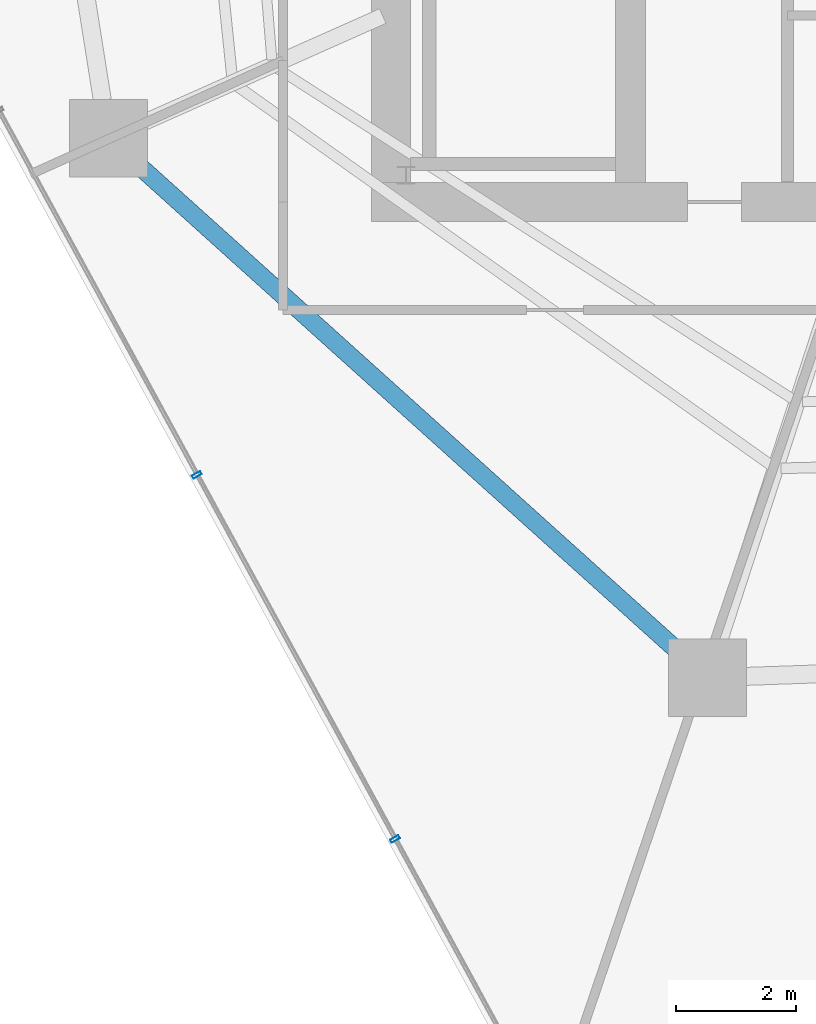
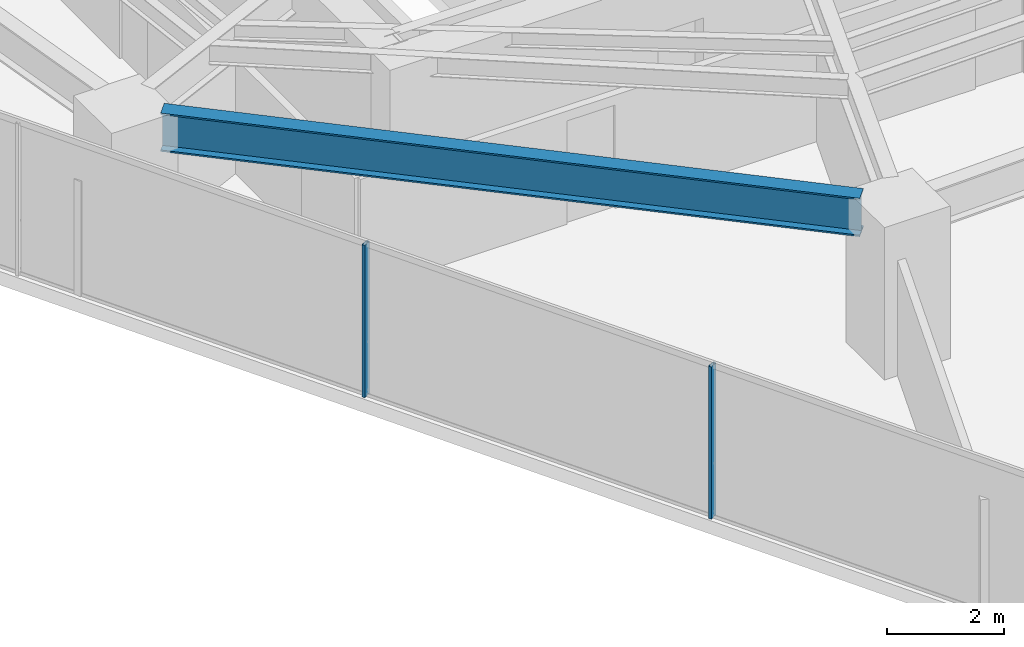
# One storey, part 3 of 30: 2 members, 1 beam, 1 element without a shape of its own.
"""IFC4 building model written with IfcOpenShell, lengths in metres."""

import ifcopenshell
import ifcopenshell.guid

model = None  # the IFC model being written
_history = None  # IfcOwnerHistory: only IFC2X3 demands one
_inside = {}  # id of a spatial element -> (the spatial element, [elements in it])
_under = {}  # id of a project, library or spatial element -> (it, [spatial elements below it])
_declared = {}  # id of a project -> (the project, [libraries it declares])
_typed = {}  # id of a type object -> (the type object, [elements of that type])
_made_of = {}  # id of a material, layer set ... -> (it, [elements and type objects made of it])


def new_model(schema):
    """Start an empty IFC model of exactly this schema.

    Asked for "IFC4X3", IfcOpenShell would pick the latest addendum, in which some entities
    have other attributes; the version numbers below select the first issue.
    IFC2X3 requires an IfcOwnerHistory on every rooted entity: one is made here for all.
    """
    global model, _history
    if schema == "IFC4X3":
        model = ifcopenshell.file(schema_version=(4, 3, 0, 0))
    else:
        model = ifcopenshell.file(schema=schema)
    _inside.clear()
    _under.clear()
    _declared.clear()
    _typed.clear()
    _made_of.clear()
    _history = None
    if model.schema == "IFC2X3":
        org = make("IfcOrganization", Name="unknown")
        user = make(
            "IfcPersonAndOrganization",
            ThePerson=make("IfcPerson", FamilyName="unknown"),
            TheOrganization=org,
        )
        app = make(
            "IfcApplication",
            ApplicationDeveloper=org,
            Version="unknown",
            ApplicationFullName="unknown",
            ApplicationIdentifier="unknown",
        )
        _history = make(
            "IfcOwnerHistory",
            OwningUser=user,
            OwningApplication=app,
            ChangeAction="ADDED",
            CreationDate=0,
        )
    return model


def make(cls, **values):
    """One entity of the class cls with the attributes given. An attribute that is None is left unset."""
    return model.create_entity(
        cls, **{name: value for name, value in values.items() if value is not None}
    )


def rooted(cls, **values):
    """An entity with a GlobalId (a new one), such as an element, a storey or a relation."""
    return make(cls, GlobalId=ifcopenshell.guid.new(), OwnerHistory=_history, **values)


def si_unit(unit_type, name, prefix=None):
    """IfcSIUnit, for example si_unit("LENGTHUNIT", "METRE", prefix="MILLI")."""
    return make("IfcSIUnit", UnitType=unit_type, Prefix=prefix, Name=name)


def assignment(units):
    """IfcUnitAssignment: the units of a project."""
    return None if units is None else make("IfcUnitAssignment", Units=units)


def point(xyz):
    """IfcCartesianPoint."""
    return None if xyz is None else make("IfcCartesianPoint", Coordinates=xyz)


def direction(xyz):
    """IfcDirection."""
    return None if xyz is None else make("IfcDirection", DirectionRatios=xyz)


def frame(location, z_axis=None, x_axis=None):
    """IfcAxis2Placement3D, a coordinate frame: its origin and axes. An axis left out is left unset."""
    return make(
        "IfcAxis2Placement3D",
        Location=point(location),
        Axis=direction(z_axis),
        RefDirection=direction(x_axis),
    )


def frame_2d(location, x_axis=None):
    """IfcAxis2Placement2D, a coordinate frame in the plane: its origin and x axis."""
    return make(
        "IfcAxis2Placement2D", Location=point(location), RefDirection=direction(x_axis)
    )


def origin():
    """The frame at (0, 0, 0) with its axes left unset."""
    return frame((0.0, 0.0, 0.0))


def origin_2d():
    """The frame at (0, 0) in the plane with its x axis left unset."""
    return frame_2d((0.0, 0.0))


def place(relative_to, where):
    """IfcLocalPlacement: puts the frame where relative to a parent placement (None: the world)."""
    return make(
        "IfcLocalPlacement", PlacementRelTo=relative_to, RelativePlacement=where
    )


def context(
    kind, dimensions, precision=None, world=None, true_north=None, identifier=None
):
    """IfcGeometricRepresentationContext, for example the 3D "Model" context."""
    return make(
        "IfcGeometricRepresentationContext",
        ContextIdentifier=identifier,
        ContextType=kind,
        CoordinateSpaceDimension=dimensions,
        Precision=precision,
        WorldCoordinateSystem=world,
        TrueNorth=true_north,
    )


def subcontext(parent, identifier, kind, view, scale=None):
    """IfcGeometricRepresentationSubContext, for example "Body" below "Model"."""
    return make(
        "IfcGeometricRepresentationSubContext",
        ContextIdentifier=identifier,
        ContextType=kind,
        ParentContext=parent,
        TargetScale=scale,
        TargetView=view,
    )


def project(units=None, contexts=None):
    """IfcProject with its units and contexts."""
    return rooted(
        "IfcProject",
        Name="project",
        RepresentationContexts=contexts,
        UnitsInContext=assignment(units),
    )


def spatial(cls, under=None, at=None, **own):
    """A site, building, storey or space (cls), placed at a placement, below another one or the project."""
    s = rooted(cls, ObjectPlacement=at, **own)
    if under is not None:
        _under.setdefault(under.id(), (under, []))[1].append(s)
    return s


def profile(cls, at=None, kind="AREA", **sizes):
    """A parametric profile (cls). Its sizes go by their IFC names, for example OverallWidth=200.0."""
    return make(cls, ProfileType=kind, Position=at, **sizes)


def hollow_rectangle(**sizes):
    """IfcRectangleHollowProfileDef."""
    return profile("IfcRectangleHollowProfileDef", **sizes)


def i_section(**sizes):
    """IfcIShapeProfileDef."""
    return profile("IfcIShapeProfileDef", **sizes)


def extrude(swept, where, along, depth):
    """IfcExtrudedAreaSolid: the profile swept, set in the frame where, extruded along a direction by depth."""
    return make(
        "IfcExtrudedAreaSolid",
        SweptArea=swept,
        Position=where,
        ExtrudedDirection=direction(along),
        Depth=depth,
    )


def shape(context_of_items, identifier, shape_type, items):
    """IfcShapeRepresentation: the items that make up one representation, for example the "Body"."""
    return make(
        "IfcShapeRepresentation",
        ContextOfItems=context_of_items,
        RepresentationIdentifier=identifier,
        RepresentationType=shape_type,
        Items=items,
    )


def material(Name=None, Category=None):
    """IfcMaterial."""
    return make("IfcMaterial", Name=Name, Category=Category)


def layer(
    of_material, thickness, ventilated=None, Name=None, Category=None, Priority=None
):
    """IfcMaterialLayer: one layer of a wall or slab, of a material (None: an air gap)."""
    return make(
        "IfcMaterialLayer",
        Material=of_material,
        LayerThickness=thickness,
        IsVentilated=ventilated,
        Name=Name,
        Category=Category,
        Priority=Priority,
    )


def layer_set(layers, Name=None):
    """IfcMaterialLayerSet."""
    return make("IfcMaterialLayerSet", MaterialLayers=layers, LayerSetName=Name)


def material_profile(
    of_material, cross_section, Name=None, Category=None, Priority=None
):
    """IfcMaterialProfile: a cross section and its material."""
    return make(
        "IfcMaterialProfile",
        Name=Name,
        Material=of_material,
        Profile=cross_section,
        Priority=Priority,
        Category=Category,
    )


def profile_set(profiles, Name=None, composite=None):
    """IfcMaterialProfileSet."""
    return make(
        "IfcMaterialProfileSet",
        Name=Name,
        MaterialProfiles=profiles,
        CompositeProfile=composite,
    )


def made_of(thing, what):
    """Note that an element or type object is made of a material, layer set ...; save() writes the relation."""
    if what is not None:
        _made_of.setdefault(what.id(), (what, []))[1].append(thing)
    return thing


def type_object(cls, material=None, **own):
    """A type object (cls), such as IfcWallType, which elements share."""
    return made_of(rooted(cls, **own), material)


def element(
    cls,
    number,
    at=None,
    inside=None,
    cuts=None,
    type_object=None,
    material=None,
    context=None,
    identifier="Body",
    shape_type=None,
    held_by="IfcProductDefinitionShape",
    body=None,
    shapes=None,
    **own,
):
    """One element of the class cls, such as IfcWall. Its Tag is "e" and its number.

    at: its placement. inside: the storey or other place that contains it. cuts: it is an
    opening in that element (IfcRelVoidsElement). A single representation is given by context,
    identifier, shape_type and body (its items); several are given by shapes. held_by: the class
    of the entity that holds the representations. save() writes the other relations.
    """
    e = rooted(cls, Tag="e%d" % number, ObjectPlacement=at, **own)
    if body is not None:
        shapes = [shape(context, identifier, shape_type, body)]
    if shapes is not None:
        e.Representation = make(held_by, Representations=shapes)
    if inside is not None:
        _inside.setdefault(inside.id(), (inside, []))[1].append(e)
    if cuts is not None:
        rooted(
            "IfcRelVoidsElement", RelatingBuildingElement=cuts, RelatedOpeningElement=e
        )
    if type_object is not None:
        _typed.setdefault(type_object.id(), (type_object, []))[1].append(e)
    return made_of(e, material)


def aggregate(whole, parts):
    """IfcRelAggregates: a whole, such as a stair, and the parts it consists of."""
    return rooted("IfcRelAggregates", RelatingObject=whole, RelatedObjects=parts)


def save(model, path):
    """Write the relations noted so far, then the file.

    IfcRelAggregates (storeys below a building ...), IfcRelContainedInSpatialStructure (elements
    in a storey), IfcRelDefinesByType, IfcRelAssociatesMaterial and IfcRelDeclares: one each for
    every whole, place, type object, material and project.
    """
    for whole, parts in _under.values():
        aggregate(whole, parts)
    for where, things in _inside.values():
        rooted(
            "IfcRelContainedInSpatialStructure",
            RelatedElements=things,
            RelatingStructure=where,
        )
    for kind, things in _typed.values():
        rooted("IfcRelDefinesByType", RelatedObjects=things, RelatingType=kind)
    for what, things in _made_of.values():
        rooted("IfcRelAssociatesMaterial", RelatedObjects=things, RelatingMaterial=what)
    for by, libraries in _declared.values():
        rooted("IfcRelDeclares", RelatingContext=by, RelatedDefinitions=libraries)
    model.write(path)


model = new_model("IFC4")

# Units and contexts
model_context = context("Model", 3, precision=1e-05, world=origin(), true_north=direction((0.0, 1.0)))
body_context = subcontext(model_context, "Body", "Model", "MODEL_VIEW")
ifc_project = project(units=[si_unit("LENGTHUNIT", "METRE"), si_unit("AREAUNIT", "SQUARE_METRE"), si_unit("VOLUMEUNIT", "CUBIC_METRE"), si_unit("PLANEANGLEUNIT", "RADIAN"), si_unit("MASSUNIT", "GRAM", prefix="KILO")], contexts=[model_context])

# Site, building, storey
site_placement = place(None, origin())
site = spatial("IfcSite", under=ifc_project, at=site_placement, CompositionType="ELEMENT")
building_placement = place(site_placement, origin())
building = spatial("IfcBuilding", under=site, at=building_placement, Name="Qarnah Convention Tower", CompositionType="ELEMENT")
storey_placement = place(building_placement, frame((0.0, 0.0, 61.5)))
storey = spatial("IfcBuildingStorey", under=building, at=storey_placement, Name="L15", CompositionType="ELEMENT", Elevation=61.5)

# Beam
ifc_material_1 = material(Name="Structural steel S355JR", Category="steel")
ifc_material_profile_1 = material_profile(ifc_material_1, i_section(OverallWidth=0.300048828125, OverallDepth=0.800048828125, WebThickness=0.01806640625, FlangeThickness=0.032958984375, at=origin_2d()), Name="HEB800")
ifc_profile_set_1 = profile_set([ifc_material_profile_1], Name="Structural steel S355JR")
beam_type = type_object("IfcBeamType", Name="BM-RING-HEB800", PredefinedType="BEAM", material=ifc_profile_set_1)
beam_placement = place(storey_placement, frame((22.556884765625, 19.240966796875, 2.77001953125), z_axis=(0.743082870291, -0.669199408159, 0.0), x_axis=(0.669199408159, 0.743082870291, 0.0)))
element("IfcBeam", 1, at=beam_placement, inside=storey, type_object=beam_type, Name="L15 beam BM-L15-SPN-06", PredefinedType="BEAM", context=body_context, shape_type="SweptSolid", body=[
    extrude(i_section(OverallWidth=0.300048828125, OverallDepth=0.800048828125, WebThickness=0.01806640625, FlangeThickness=0.032958984375, at=origin_2d()), origin(), (0.0, 0.0, 1.0), 12.183349609375),
])

# Curtain wall, members
ifc_material_2 = material(Name="Tempered Low-E dark glass", Category="glass")
ifc_layer = layer(ifc_material_2, 0.16796875)
ifc_layer_set = layer_set([ifc_layer], Name="Tempered Low-E dark glass")
curtain_wall_type = type_object("IfcCurtainWallType", Name="CWS-01", PredefinedType="NOTDEFINED", material=ifc_layer_set)
curtain_wall_placement = place(storey_placement, origin())
curtain_wall = element("IfcCurtainWall", 2, at=curtain_wall_placement, inside=storey, type_object=curtain_wall_type, Name="L15 unitised curtain wall CW-L15-F3", PredefinedType="NOTDEFINED")
ifc_material_3 = material(Name="Black anodised aluminium", Category="aluminium")
ifc_material_profile_2 = material_profile(ifc_material_3, hollow_rectangle(XDim=0.06005859375, YDim=0.159912109375, WallThickness=0.00390625, at=origin_2d()), Name="MUL-60X160")
ifc_profile_set_2 = profile_set([ifc_material_profile_2], Name="Black anodised aluminium")
member_type = type_object("IfcMemberType", Name="MUL-T1", PredefinedType="MULLION", material=ifc_profile_set_2)
member_1_placement = place(storey_placement, frame((26.868896484375, 7.966796875, 0.0), z_axis=(0.0, 0.0, 1.0), x_axis=(-0.478066483935, 0.878323651588, 0.0)))
member_1 = element("IfcMember", 3, at=member_1_placement, type_object=member_type, Name="CW-L15-F3 mullion 2", PredefinedType="MULLION", context=body_context, shape_type="SweptSolid", body=[
    extrude(hollow_rectangle(XDim=0.06005859375, YDim=0.159912109375, WallThickness=0.00390625, at=origin_2d()), origin(), (0.0, 0.0, 1.0), 3.169921875),
])
member_2_placement = place(storey_placement, frame((23.5595703125, 14.046630859375, 0.0), z_axis=(0.0, 0.0, 1.0), x_axis=(-0.478066483935, 0.878323651588, 0.0)))
member_2 = element("IfcMember", 4, at=member_2_placement, type_object=member_type, Name="CW-L15-F3 mullion 3", PredefinedType="MULLION", context=body_context, shape_type="SweptSolid", body=[
    extrude(hollow_rectangle(XDim=0.06005859375, YDim=0.159912109375, WallThickness=0.00390625, at=origin_2d()), origin(), (0.0, 0.0, 1.0), 3.169921875),
])
aggregate(curtain_wall, [member_1, member_2])

save(model, "model.ifc")
